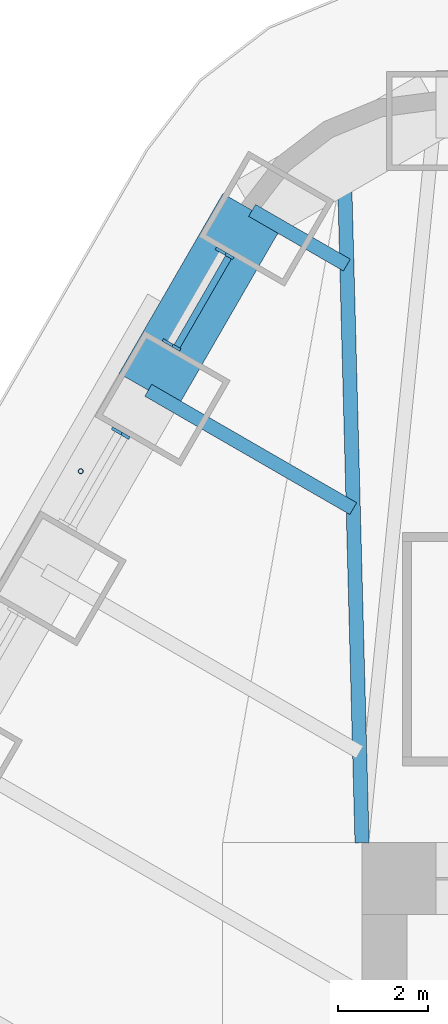
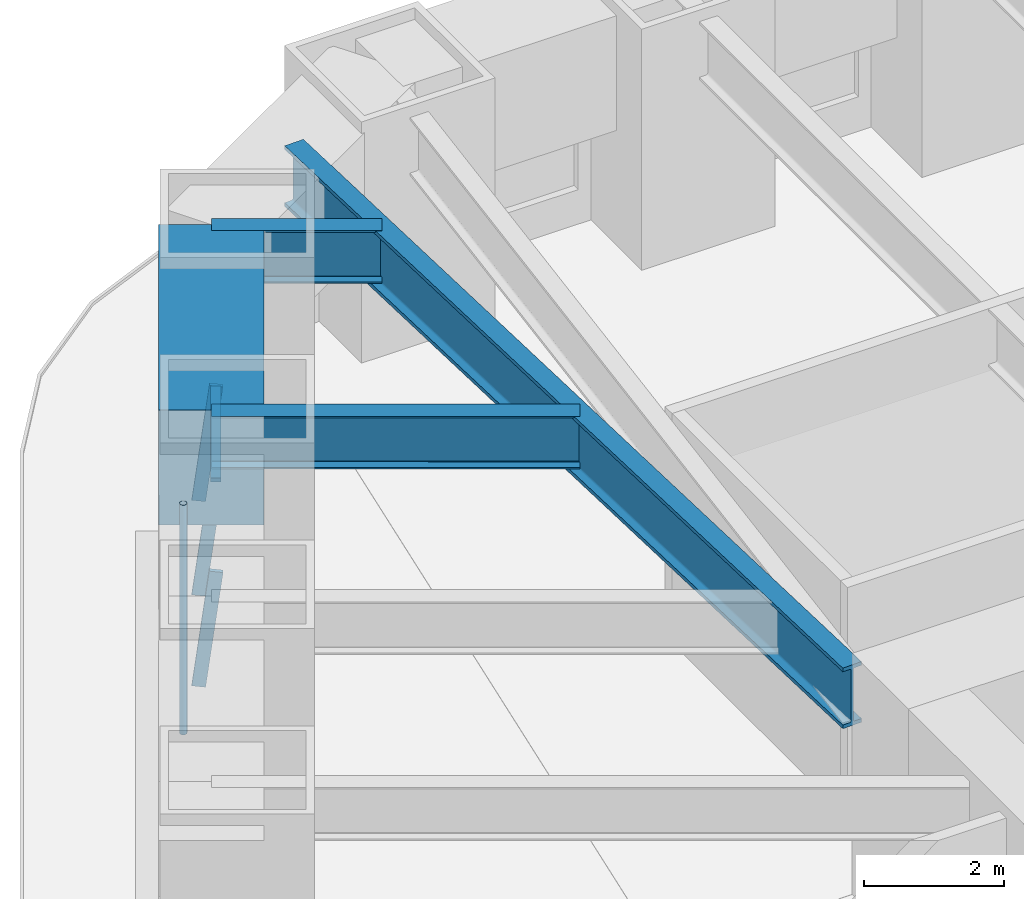
# One storey, part 8 of 20: 5 members, 4 beams, 2 elements without a shape of their own.
"""IFC4 building model written with IfcOpenShell, lengths in metres."""

from ifc_helpers import new_model, si_unit, direction, frame, origin, origin_2d, place, context, subcontext, project, spatial, rectangle, hollow_circle, i_section, extrude, material, material_profile, profile_set, type_object, element, aggregate, save


model = new_model("IFC4")

# Units and contexts
model_context = context("Model", 3, precision=1e-05, world=origin(), true_north=direction((0.0, 1.0)))
body_context = subcontext(model_context, "Body", "Model", "MODEL_VIEW")
ifc_project = project(units=[si_unit("LENGTHUNIT", "METRE"), si_unit("AREAUNIT", "SQUARE_METRE"), si_unit("VOLUMEUNIT", "CUBIC_METRE"), si_unit("PLANEANGLEUNIT", "RADIAN"), si_unit("MASSUNIT", "GRAM", prefix="KILO")], contexts=[model_context])

# Site, building, storey
site_placement = place(None, origin())
site = spatial("IfcSite", under=ifc_project, at=site_placement, CompositionType="ELEMENT")
building_placement = place(site_placement, origin())
building = spatial("IfcBuilding", under=site, at=building_placement, Name="Tarfa Lantern Tower", CompositionType="ELEMENT")
storey_placement = place(building_placement, frame((0.0, 0.0, 215.5)))
storey = spatial("IfcBuildingStorey", under=building, at=storey_placement, Name="L48", CompositionType="ELEMENT", Elevation=215.5)

# Curtain wall, members
ifc_material_1 = material(Name="Aluminium framed curtain wall", Category="aluminium")
curtain_wall_type = type_object("IfcCurtainWallType", Name="CW3 CANTED GLAZING HIGH ZONE 2000", PredefinedType="USERDEFINED", material=ifc_material_1)
curtain_wall_1_placement = place(storey_placement, origin())
curtain_wall_1 = element("IfcCurtainWall", 1, at=curtain_wall_1_placement, inside=storey, type_object=curtain_wall_type, Name="CW3 NW L48", ObjectType="CURTAIN WALL", PredefinedType="USERDEFINED")
ifc_material_2 = material(Name="Aluminium mullion", Category="aluminium")
ifc_material_profile_1 = material_profile(ifc_material_2, rectangle(XDim=0.06494140625, YDim=0.199951171875, at=origin_2d()), Name="AL MULLION 65x200")
ifc_profile_set_1 = profile_set([ifc_material_profile_1], Name="Aluminium mullion")
member_type_1 = type_object("IfcMemberType", Name="CWM1 MULLION 65x200", PredefinedType="MULLION", material=ifc_profile_set_1)
member_1_placement = place(storey_placement, frame((-18.666259765625, 25.46923828125, 0.0), z_axis=(0.107439978116, -0.062017213975, 0.992275423596), x_axis=(0.499919672301, 0.866071776036, 0.0)))
member_1 = element("IfcMember", 2, at=member_1_placement, type_object=member_type_1, Name="CW3 mullion 1", PredefinedType="MULLION", context=body_context, shape_type="SweptSolid", body=[
    extrude(rectangle(XDim=0.06494140625, YDim=0.199951171875, at=origin_2d()), origin(), (0.0, 0.0, 1.0), 2.015625),
])
member_2_placement = place(storey_placement, frame((-19.843017578125, 23.4306640625, 0.0), z_axis=(0.107439978116, -0.062017213975, 0.992275423596), x_axis=(0.499919672301, 0.866071776036, 0.0)))
member_2 = element("IfcMember", 3, at=member_2_placement, type_object=member_type_1, Name="CW3 mullion 2", PredefinedType="MULLION", context=body_context, shape_type="SweptSolid", body=[
    extrude(rectangle(XDim=0.06494140625, YDim=0.199951171875, at=origin_2d()), origin(), (0.0, 0.0, 1.0), 2.015625),
])

# Curtain wall, member
curtain_wall_2_placement = place(storey_placement, origin())
curtain_wall_2 = element("IfcCurtainWall", 4, at=curtain_wall_2_placement, inside=storey, type_object=curtain_wall_type, Name="CW3 NW L48", ObjectType="CURTAIN WALL", PredefinedType="USERDEFINED")
member_3_placement = place(storey_placement, frame((-20.9755859375, 21.46923828125, 0.0), z_axis=(0.107439978116, -0.062017213975, 0.992275423596), x_axis=(0.499919672301, 0.866071776036, 0.0)))
member_3 = element("IfcMember", 5, at=member_3_placement, type_object=member_type_1, Name="CW3 mullion 1", PredefinedType="MULLION", context=body_context, shape_type="SweptSolid", body=[
    extrude(rectangle(XDim=0.06494140625, YDim=0.199951171875, at=origin_2d()), origin(), (0.0, 0.0, 1.0), 2.015625),
])
aggregate(curtain_wall_2, [member_3])

# Member
ifc_material_3 = material(Name="Aluminium transom", Category="aluminium")
ifc_material_profile_2 = material_profile(ifc_material_3, rectangle(XDim=0.14990234375, YDim=0.06494140625, at=origin_2d()), Name="AL TRANSOM 150x65")
ifc_profile_set_2 = profile_set([ifc_material_profile_2], Name="Aluminium transom")
member_type_2 = type_object("IfcMemberType", Name="CWT1 TRANSOM 150x65", PredefinedType="USERDEFINED", material=ifc_profile_set_2)
member_4_placement = place(storey_placement, frame((-18.469482421875, 25.318115234375, 1.967529296875), z_axis=(-0.499959451571, -0.866048813165, 0.0), x_axis=(0.866048813165, -0.499959451571, 0.0)))
member_4 = element("IfcMember", 6, at=member_4_placement, type_object=member_type_2, Name="CW3 transom 1.2", ObjectType="TRANSOM", PredefinedType="USERDEFINED", context=body_context, shape_type="SweptSolid", body=[
    extrude(rectangle(XDim=0.14990234375, YDim=0.06494140625, at=origin_2d()), origin(), (0.0, 0.0, 1.0), 2.288818359375),
])

aggregate(curtain_wall_1, [member_1, member_2, member_4])

# Beam
ifc_material_4 = material(Name="Concrete C80/95", Category="concrete")
ifc_material_profile_3 = material_profile(ifc_material_4, rectangle(XDim=1.5, YDim=2.0, at=origin_2d()), Name="RC 1500x2000")
ifc_profile_set_3 = profile_set([ifc_material_profile_3], Name="Concrete C80/95")
beam_type_1 = type_object("IfcBeamType", Name="RB3 RC 1500x2000", PredefinedType="BEAM", material=ifc_profile_set_3)
beam_1_placement = place(storey_placement, frame((-17.944091796875, 26.360107421875, 3.0), z_axis=(-0.499987836815, -0.866032426089, 0.0), x_axis=(0.866032426089, -0.499987836815, 0.0)))
element("IfcBeam", 7, at=beam_1_placement, inside=storey, type_object=beam_type_1, Name="Edge beam NW0", PredefinedType="BEAM", context=body_context, shape_type="SweptSolid", body=[
    extrude(rectangle(XDim=1.5, YDim=2.0, at=origin_2d()), origin(), (0.0, 0.0, 1.0), 4.61865234375),
])

# Member
ifc_material_5 = material(Name="Steel S355", Category="steel")
ifc_material_profile_4 = material_profile(ifc_material_5, hollow_circle(Radius=0.05712890625, WallThickness=0.00634765625, at=origin_2d()), Name="CHS114.3x6.3")
ifc_profile_set_4 = profile_set([ifc_material_profile_4], Name="Steel S355")
member_type_3 = type_object("IfcMemberType", Name="TR1 GREEN WALL TRELLIS CHS114.3x6.3", PredefinedType="USERDEFINED", material=ifc_profile_set_4)
member_5_placement = place(storey_placement, frame((-21.754638671875, 20.56005859375, 0.0), z_axis=(0.0, 0.0, 1.0), x_axis=(1.0, 0.0, 0.0)))
element("IfcMember", 8, at=member_5_placement, inside=storey, type_object=member_type_3, Name="Trellis post NW 1", ObjectType="TRELLIS", PredefinedType="USERDEFINED", context=body_context, shape_type="SweptSolid", body=[
    extrude(hollow_circle(Radius=0.05712890625, WallThickness=0.00634765625, at=origin_2d()), origin(), (0.0, 0.0, 1.0), 4.0),
])

# Beams
ifc_material_6 = material(Name="Steel S460M", Category="steel")
ifc_material_profile_5 = material_profile(ifc_material_6, i_section(OverallWidth=0.314208984375, OverallDepth=1.055908203125, WebThickness=0.035888671875, FlangeThickness=0.06396484375, FilletRadius=0.030029296875, at=origin_2d()), Name="UB1016x305x584")
ifc_profile_set_5 = profile_set([ifc_material_profile_5], Name="Steel S460M")
beam_type_2 = type_object("IfcBeamType", Name="UB1016x305x584", PredefinedType="BEAM", material=ifc_profile_set_5)
beam_2_placement = place(storey_placement, frame((-15.5, 12.300048828125, 3.471923828125), z_axis=(-0.026247301989, 0.999655480222, 0.0), x_axis=(-0.999655480222, -0.026247301989, 0.0)))
element("IfcBeam", 9, at=beam_2_placement, inside=storey, type_object=beam_type_2, Name="Hip girder NW", PredefinedType="BEAM", context=body_context, shape_type="SweptSolid", body=[
    extrude(i_section(OverallWidth=0.314208984375, OverallDepth=1.055908203125, WebThickness=0.035888671875, FlangeThickness=0.06396484375, FilletRadius=0.030029296875, at=origin_2d()), origin(), (0.0, 0.0, 1.0), 15.245361328125),
])
ifc_material_profile_6 = material_profile(ifc_material_6, i_section(OverallWidth=0.305419921875, OverallDepth=0.91845703125, WebThickness=0.017333984375, FlangeThickness=0.02783203125, FilletRadius=0.01904296875, at=origin_2d()), Name="UB914x305x253")
ifc_profile_set_6 = profile_set([ifc_material_profile_6], Name="Steel S460M")
beam_type_3 = type_object("IfcBeamType", Name="UB914x305x253", PredefinedType="BEAM", material=ifc_profile_set_6)
beam_3_placement = place(storey_placement, frame((-17.944091796875, 26.360107421875, 3.540771484375), z_axis=(0.865980009423, -0.5000786171, 0.0), x_axis=(0.5000786171, 0.865980009423, 0.0)))
element("IfcBeam", 10, at=beam_3_placement, inside=storey, type_object=beam_type_3, Name="Floor beam NW0", PredefinedType="BEAM", context=body_context, shape_type="SweptSolid", body=[
    extrude(i_section(OverallWidth=0.305419921875, OverallDepth=0.91845703125, WebThickness=0.017333984375, FlangeThickness=0.02783203125, FilletRadius=0.01904296875, at=origin_2d()), origin(), (0.0, 0.0, 1.0), 2.4326171875),
])
beam_4_placement = place(storey_placement, frame((-20.25341796875, 22.360107421875, 3.540771484375), z_axis=(0.86601951648, -0.500010196972, 0.0), x_axis=(0.500010196972, 0.86601951648, 0.0)))
element("IfcBeam", 11, at=beam_4_placement, inside=storey, type_object=beam_type_3, Name="Floor beam NW1", PredefinedType="BEAM", context=body_context, shape_type="SweptSolid", body=[
    extrude(i_section(OverallWidth=0.305419921875, OverallDepth=0.91845703125, WebThickness=0.017333984375, FlangeThickness=0.02783203125, FilletRadius=0.01904296875, at=origin_2d()), origin(), (0.0, 0.0, 1.0), 5.263671875),
])

save(model, "model.ifc")
